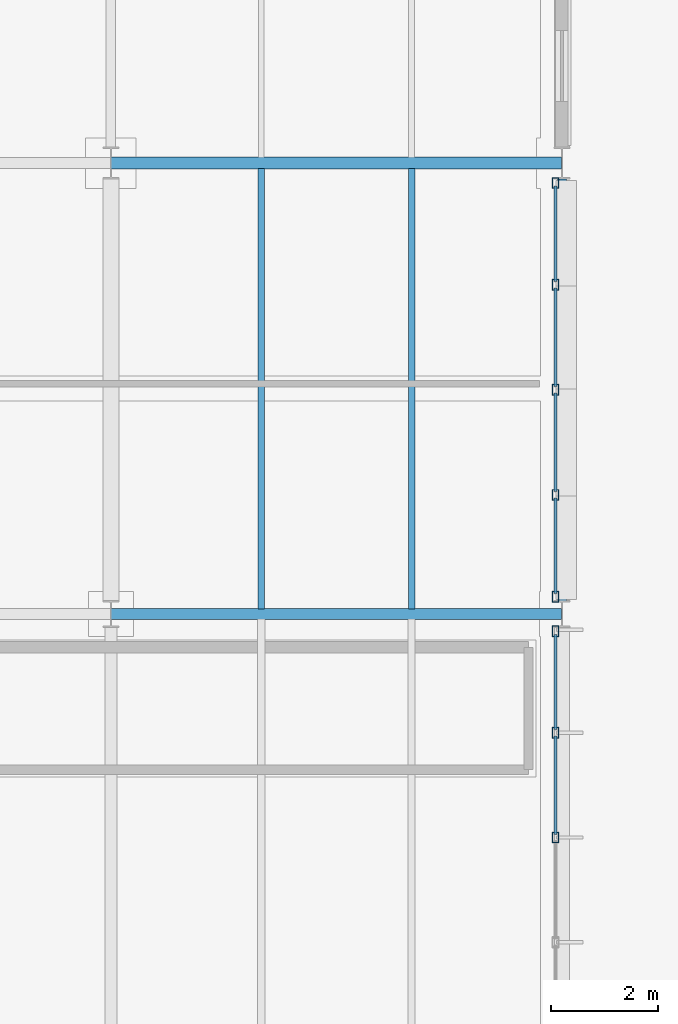
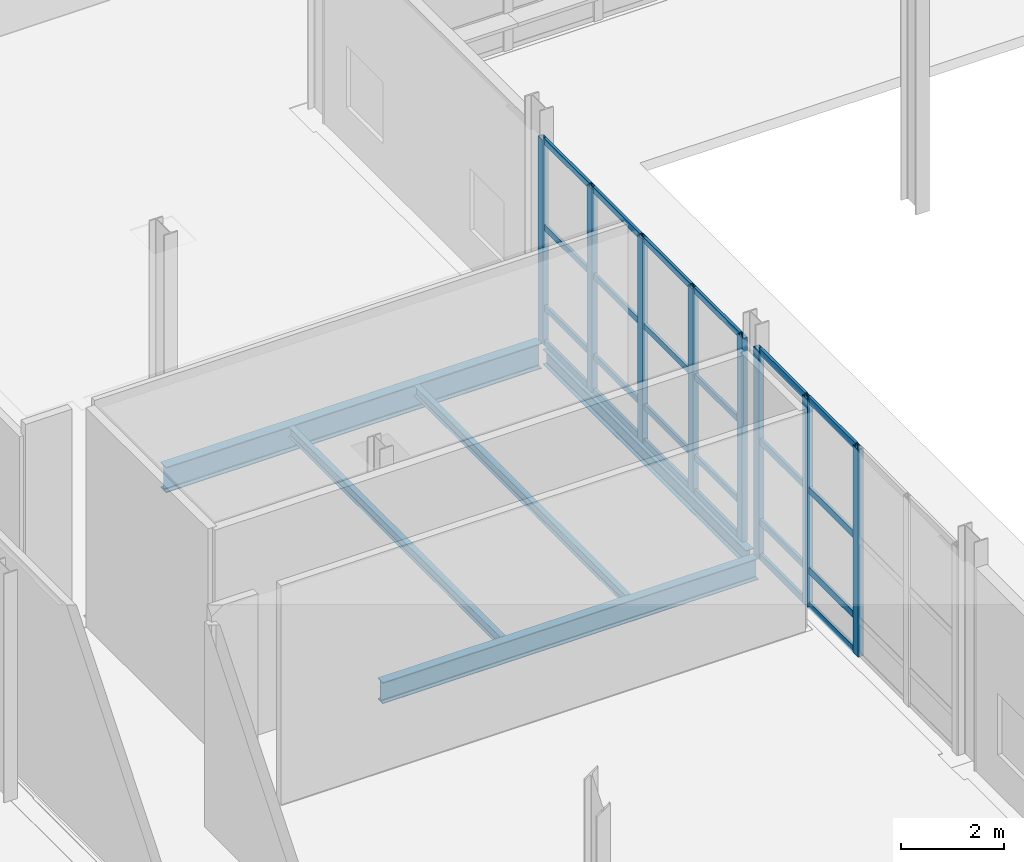
# One storey, part 42 of 124: 32 members, 5 beams, 2 elements without a shape of their own.
"""IFC4 building model written with IfcOpenShell, lengths in metres."""

from ifc_helpers import new_model, si_unit, direction, frame, origin, origin_2d, place, context, subcontext, project, spatial, hollow_rectangle, i_section, extrude, material, material_profile, profile_set, type_object, element, aggregate, save


model = new_model("IFC4")

# Units and contexts
model_context = context("Model", 3, precision=1e-05, world=origin(), true_north=direction((0.0, 1.0)))
body_context = subcontext(model_context, "Body", "Model", "MODEL_VIEW")
ifc_project = project(units=[si_unit("LENGTHUNIT", "METRE"), si_unit("AREAUNIT", "SQUARE_METRE"), si_unit("VOLUMEUNIT", "CUBIC_METRE"), si_unit("PLANEANGLEUNIT", "RADIAN"), si_unit("MASSUNIT", "GRAM", prefix="KILO")], contexts=[model_context])

# Site, building, storey
site_placement = place(None, origin())
site = spatial("IfcSite", under=ifc_project, at=site_placement, CompositionType="ELEMENT")
building_placement = place(site_placement, origin())
building = spatial("IfcBuilding", under=site, at=building_placement, Name="Mersafa Astral City Hall", CompositionType="ELEMENT")
storey_placement = place(building_placement, origin())
storey = spatial("IfcBuildingStorey", under=building, at=storey_placement, Name="L00", CompositionType="ELEMENT", Elevation=0.0)

# Curtain wall, members
ifc_material_1 = material(Name="Anodised bronze aluminium framing", Category="aluminium")
curtain_wall_type_1 = type_object("IfcCurtainWallType", Name="ENV-CW-1", PredefinedType="USERDEFINED", material=ifc_material_1)
curtain_wall_1_placement = place(storey_placement, origin())
curtain_wall_1 = element("IfcCurtainWall", 1, at=curtain_wall_1_placement, inside=storey, type_object=curtain_wall_type_1, Name="L00 Unitised solar curtain wall 12", ObjectType="UNITISED CURTAIN WALL", PredefinedType="USERDEFINED")
ifc_material_profile_1 = material_profile(ifc_material_1, hollow_rectangle(XDim=0.1201171875, YDim=0.199951171875, WallThickness=0.008056640625, at=origin_2d()), Name="RHS 120x200x8")
ifc_profile_set_1 = profile_set([ifc_material_profile_1], Name="Anodised bronze aluminium framing")
member_type_1 = type_object("IfcMemberType", Name="ENV-CW-MUL-2", PredefinedType="MULLION", material=ifc_profile_set_1)
member_1_placement = place(storey_placement, frame((117.47998046875, 96.637451171875, -0.001953125), z_axis=(0.0, 0.0, 1.0), x_axis=(-1.0, 0.0, 0.0)))
member_1 = element("IfcMember", 2, at=member_1_placement, type_object=member_type_1, Name="CW-1 mullion 3", PredefinedType="MULLION", context=body_context, shape_type="SweptSolid", body=[
    extrude(hollow_rectangle(XDim=0.1201171875, YDim=0.199951171875, WallThickness=0.008056640625, at=origin_2d()), origin(), (0.0, 0.0, 1.0), 4.904052734375),
])
member_2_placement = place(storey_placement, frame((117.47998046875, 98.587646484375, -0.001953125), z_axis=(0.0, 0.0, 1.0), x_axis=(-1.0, 0.0, 0.0)))
member_2 = element("IfcMember", 3, at=member_2_placement, type_object=member_type_1, Name="CW-1 mullion 4", PredefinedType="MULLION", context=body_context, shape_type="SweptSolid", body=[
    extrude(hollow_rectangle(XDim=0.1201171875, YDim=0.199951171875, WallThickness=0.008056640625, at=origin_2d()), origin(), (0.0, 0.0, 1.0), 4.904052734375),
])
member_3_placement = place(storey_placement, frame((117.47998046875, 100.47802734375, -0.001953125), z_axis=(0.0, 0.0, 1.0), x_axis=(-1.0, 0.0, 0.0)))
member_3 = element("IfcMember", 4, at=member_3_placement, type_object=member_type_1, Name="CW-1 mullion 5", PredefinedType="MULLION", context=body_context, shape_type="SweptSolid", body=[
    extrude(hollow_rectangle(XDim=0.1201171875, YDim=0.199951171875, WallThickness=0.008056640625, at=origin_2d()), origin(), (0.0, 0.0, 1.0), 4.904052734375),
])

curtain_wall_type_2 = type_object("IfcCurtainWallType", Name="ENV-CW-2", PredefinedType="USERDEFINED", material=ifc_material_1)
curtain_wall_2_placement = place(storey_placement, origin())
curtain_wall_2 = element("IfcCurtainWall", 5, at=curtain_wall_2_placement, inside=storey, type_object=curtain_wall_type_2, Name="L00 Unitised solar curtain wall 13", ObjectType="UNITISED CURTAIN WALL", PredefinedType="USERDEFINED")
member_4_placement = place(storey_placement, frame((117.47998046875, 101.1220703125, -0.001953125), z_axis=(0.0, 0.0, 1.0), x_axis=(-1.0, 0.0, 0.0)))
member_4 = element("IfcMember", 6, at=member_4_placement, type_object=member_type_1, Name="CW-2 mullion 1", PredefinedType="MULLION", context=body_context, shape_type="SweptSolid", body=[
    extrude(hollow_rectangle(XDim=0.1201171875, YDim=0.199951171875, WallThickness=0.008056640625, at=origin_2d()), origin(), (0.0, 0.0, 1.0), 4.81396484375),
])
member_5_placement = place(storey_placement, frame((117.47998046875, 103.0185546875, -0.001953125), z_axis=(0.0, 0.0, 1.0), x_axis=(-1.0, 0.0, 0.0)))
member_5 = element("IfcMember", 7, at=member_5_placement, type_object=member_type_1, Name="CW-2 mullion 2", PredefinedType="MULLION", context=body_context, shape_type="SweptSolid", body=[
    extrude(hollow_rectangle(XDim=0.1201171875, YDim=0.199951171875, WallThickness=0.008056640625, at=origin_2d()), origin(), (0.0, 0.0, 1.0), 4.81396484375),
])
member_6_placement = place(storey_placement, frame((117.47998046875, 104.97509765625, -0.001953125), z_axis=(0.0, 0.0, 1.0), x_axis=(-1.0, 0.0, 0.0)))
member_6 = element("IfcMember", 8, at=member_6_placement, type_object=member_type_1, Name="CW-2 mullion 3", PredefinedType="MULLION", context=body_context, shape_type="SweptSolid", body=[
    extrude(hollow_rectangle(XDim=0.1201171875, YDim=0.199951171875, WallThickness=0.008056640625, at=origin_2d()), origin(), (0.0, 0.0, 1.0), 4.81396484375),
])
member_7_placement = place(storey_placement, frame((117.47998046875, 106.931396484375, -0.001953125), z_axis=(0.0, 0.0, 1.0), x_axis=(-1.0, 0.0, 0.0)))
member_7 = element("IfcMember", 9, at=member_7_placement, type_object=member_type_1, Name="CW-2 mullion 4", PredefinedType="MULLION", context=body_context, shape_type="SweptSolid", body=[
    extrude(hollow_rectangle(XDim=0.1201171875, YDim=0.199951171875, WallThickness=0.008056640625, at=origin_2d()), origin(), (0.0, 0.0, 1.0), 4.81396484375),
])
member_8_placement = place(storey_placement, frame((117.47998046875, 108.827880859375, -0.001953125), z_axis=(0.0, 0.0, 1.0), x_axis=(-1.0, 0.0, 0.0)))
member_8 = element("IfcMember", 10, at=member_8_placement, type_object=member_type_1, Name="CW-2 mullion 5", PredefinedType="MULLION", context=body_context, shape_type="SweptSolid", body=[
    extrude(hollow_rectangle(XDim=0.1201171875, YDim=0.199951171875, WallThickness=0.008056640625, at=origin_2d()), origin(), (0.0, 0.0, 1.0), 4.81396484375),
])
ifc_material_profile_2 = material_profile(ifc_material_1, hollow_rectangle(XDim=0.06005859375, YDim=0.139892578125, WallThickness=0.00390625, at=origin_2d()), Name="RHS 60x140x4")
ifc_profile_set_2 = profile_set([ifc_material_profile_2], Name="Anodised bronze aluminium framing")
member_type_2 = type_object("IfcMemberType", Name="ENV-CW-TRN-1", PredefinedType="USERDEFINED", material=ifc_profile_set_2)
member_9_placement = place(storey_placement, frame((117.47998046875, 101.181884765625, 0.028076171875), z_axis=(0.0, 1.0, 0.0), x_axis=(-1.0, 0.0, 0.0)))
member_9 = element("IfcMember", 11, at=member_9_placement, type_object=member_type_2, Name="CW-2 transom 1.1", ObjectType="TRANSOM", PredefinedType="USERDEFINED", context=body_context, shape_type="SweptSolid", body=[
    extrude(hollow_rectangle(XDim=0.06005859375, YDim=0.139892578125, WallThickness=0.00390625, at=origin_2d()), origin(), (0.0, 0.0, 1.0), 1.776611328125),
])
member_10_placement = place(storey_placement, frame((117.47998046875, 101.181884765625, 0.85009765625), z_axis=(0.0, 1.0, 0.0), x_axis=(-1.0, 0.0, 0.0)))
member_10 = element("IfcMember", 12, at=member_10_placement, type_object=member_type_2, Name="CW-2 transom 1.2", ObjectType="TRANSOM", PredefinedType="USERDEFINED", context=body_context, shape_type="SweptSolid", body=[
    extrude(hollow_rectangle(XDim=0.06005859375, YDim=0.139892578125, WallThickness=0.00390625, at=origin_2d()), origin(), (0.0, 0.0, 1.0), 1.776611328125),
])
member_11_placement = place(storey_placement, frame((117.47998046875, 101.181884765625, 2.75), z_axis=(0.0, 1.0, 0.0), x_axis=(-1.0, 0.0, 0.0)))
member_11 = element("IfcMember", 13, at=member_11_placement, type_object=member_type_2, Name="CW-2 transom 1.3", ObjectType="TRANSOM", PredefinedType="USERDEFINED", context=body_context, shape_type="SweptSolid", body=[
    extrude(hollow_rectangle(XDim=0.06005859375, YDim=0.139892578125, WallThickness=0.00390625, at=origin_2d()), origin(), (0.0, 0.0, 1.0), 1.776611328125),
])
member_12_placement = place(storey_placement, frame((117.47998046875, 101.181884765625, 4.781982421875), z_axis=(0.0, 1.0, 0.0), x_axis=(-1.0, 0.0, 0.0)))
member_12 = element("IfcMember", 14, at=member_12_placement, type_object=member_type_2, Name="CW-2 transom 1.4", ObjectType="TRANSOM", PredefinedType="USERDEFINED", context=body_context, shape_type="SweptSolid", body=[
    extrude(hollow_rectangle(XDim=0.06005859375, YDim=0.139892578125, WallThickness=0.00390625, at=origin_2d()), origin(), (0.0, 0.0, 1.0), 1.776611328125),
])
member_13_placement = place(storey_placement, frame((117.47998046875, 103.07861328125, 0.028076171875), z_axis=(0.0, 1.0, 0.0), x_axis=(-1.0, 0.0, 0.0)))
member_13 = element("IfcMember", 15, at=member_13_placement, type_object=member_type_2, Name="CW-2 transom 2.1", ObjectType="TRANSOM", PredefinedType="USERDEFINED", context=body_context, shape_type="SweptSolid", body=[
    extrude(hollow_rectangle(XDim=0.06005859375, YDim=0.139892578125, WallThickness=0.00390625, at=origin_2d()), origin(), (0.0, 0.0, 1.0), 1.83642578125),
])
member_14_placement = place(storey_placement, frame((117.47998046875, 103.07861328125, 0.85009765625), z_axis=(0.0, 1.0, 0.0), x_axis=(-1.0, 0.0, 0.0)))
member_14 = element("IfcMember", 16, at=member_14_placement, type_object=member_type_2, Name="CW-2 transom 2.2", ObjectType="TRANSOM", PredefinedType="USERDEFINED", context=body_context, shape_type="SweptSolid", body=[
    extrude(hollow_rectangle(XDim=0.06005859375, YDim=0.139892578125, WallThickness=0.00390625, at=origin_2d()), origin(), (0.0, 0.0, 1.0), 1.83642578125),
])
member_15_placement = place(storey_placement, frame((117.47998046875, 103.07861328125, 2.75), z_axis=(0.0, 1.0, 0.0), x_axis=(-1.0, 0.0, 0.0)))
member_15 = element("IfcMember", 17, at=member_15_placement, type_object=member_type_2, Name="CW-2 transom 2.3", ObjectType="TRANSOM", PredefinedType="USERDEFINED", context=body_context, shape_type="SweptSolid", body=[
    extrude(hollow_rectangle(XDim=0.06005859375, YDim=0.139892578125, WallThickness=0.00390625, at=origin_2d()), origin(), (0.0, 0.0, 1.0), 1.83642578125),
])
member_16_placement = place(storey_placement, frame((117.47998046875, 103.07861328125, 4.781982421875), z_axis=(0.0, 1.0, 0.0), x_axis=(-1.0, 0.0, 0.0)))
member_16 = element("IfcMember", 18, at=member_16_placement, type_object=member_type_2, Name="CW-2 transom 2.4", ObjectType="TRANSOM", PredefinedType="USERDEFINED", context=body_context, shape_type="SweptSolid", body=[
    extrude(hollow_rectangle(XDim=0.06005859375, YDim=0.139892578125, WallThickness=0.00390625, at=origin_2d()), origin(), (0.0, 0.0, 1.0), 1.83642578125),
])
member_17_placement = place(storey_placement, frame((117.47998046875, 105.034912109375, 0.028076171875), z_axis=(0.0, 1.0, 0.0), x_axis=(-1.0, 0.0, 0.0)))
member_17 = element("IfcMember", 19, at=member_17_placement, type_object=member_type_2, Name="CW-2 transom 3.1", ObjectType="TRANSOM", PredefinedType="USERDEFINED", context=body_context, shape_type="SweptSolid", body=[
    extrude(hollow_rectangle(XDim=0.06005859375, YDim=0.139892578125, WallThickness=0.00390625, at=origin_2d()), origin(), (0.0, 0.0, 1.0), 1.836669921875),
])
member_18_placement = place(storey_placement, frame((117.47998046875, 105.034912109375, 0.85009765625), z_axis=(0.0, 1.0, 0.0), x_axis=(-1.0, 0.0, 0.0)))
member_18 = element("IfcMember", 20, at=member_18_placement, type_object=member_type_2, Name="CW-2 transom 3.2", ObjectType="TRANSOM", PredefinedType="USERDEFINED", context=body_context, shape_type="SweptSolid", body=[
    extrude(hollow_rectangle(XDim=0.06005859375, YDim=0.139892578125, WallThickness=0.00390625, at=origin_2d()), origin(), (0.0, 0.0, 1.0), 1.836669921875),
])
member_19_placement = place(storey_placement, frame((117.47998046875, 105.034912109375, 2.75), z_axis=(0.0, 1.0, 0.0), x_axis=(-1.0, 0.0, 0.0)))
member_19 = element("IfcMember", 21, at=member_19_placement, type_object=member_type_2, Name="CW-2 transom 3.3", ObjectType="TRANSOM", PredefinedType="USERDEFINED", context=body_context, shape_type="SweptSolid", body=[
    extrude(hollow_rectangle(XDim=0.06005859375, YDim=0.139892578125, WallThickness=0.00390625, at=origin_2d()), origin(), (0.0, 0.0, 1.0), 1.836669921875),
])
member_20_placement = place(storey_placement, frame((117.47998046875, 105.034912109375, 4.781982421875), z_axis=(0.0, 1.0, 0.0), x_axis=(-1.0, 0.0, 0.0)))
member_20 = element("IfcMember", 22, at=member_20_placement, type_object=member_type_2, Name="CW-2 transom 3.4", ObjectType="TRANSOM", PredefinedType="USERDEFINED", context=body_context, shape_type="SweptSolid", body=[
    extrude(hollow_rectangle(XDim=0.06005859375, YDim=0.139892578125, WallThickness=0.00390625, at=origin_2d()), origin(), (0.0, 0.0, 1.0), 1.836669921875),
])
member_21_placement = place(storey_placement, frame((117.47998046875, 106.991455078125, 0.028076171875), z_axis=(0.0, 1.0, 0.0), x_axis=(-1.0, 0.0, 0.0)))
member_21 = element("IfcMember", 23, at=member_21_placement, type_object=member_type_2, Name="CW-2 transom 4.1", ObjectType="TRANSOM", PredefinedType="USERDEFINED", context=body_context, shape_type="SweptSolid", body=[
    extrude(hollow_rectangle(XDim=0.06005859375, YDim=0.139892578125, WallThickness=0.00390625, at=origin_2d()), origin(), (0.0, 0.0, 1.0), 1.776611328125),
])
member_22_placement = place(storey_placement, frame((117.47998046875, 106.991455078125, 0.85009765625), z_axis=(0.0, 1.0, 0.0), x_axis=(-1.0, 0.0, 0.0)))
member_22 = element("IfcMember", 24, at=member_22_placement, type_object=member_type_2, Name="CW-2 transom 4.2", ObjectType="TRANSOM", PredefinedType="USERDEFINED", context=body_context, shape_type="SweptSolid", body=[
    extrude(hollow_rectangle(XDim=0.06005859375, YDim=0.139892578125, WallThickness=0.00390625, at=origin_2d()), origin(), (0.0, 0.0, 1.0), 1.776611328125),
])
member_23_placement = place(storey_placement, frame((117.47998046875, 106.991455078125, 2.75), z_axis=(0.0, 1.0, 0.0), x_axis=(-1.0, 0.0, 0.0)))
member_23 = element("IfcMember", 25, at=member_23_placement, type_object=member_type_2, Name="CW-2 transom 4.3", ObjectType="TRANSOM", PredefinedType="USERDEFINED", context=body_context, shape_type="SweptSolid", body=[
    extrude(hollow_rectangle(XDim=0.06005859375, YDim=0.139892578125, WallThickness=0.00390625, at=origin_2d()), origin(), (0.0, 0.0, 1.0), 1.776611328125),
])
member_24_placement = place(storey_placement, frame((117.47998046875, 106.991455078125, 4.781982421875), z_axis=(0.0, 1.0, 0.0), x_axis=(-1.0, 0.0, 0.0)))
member_24 = element("IfcMember", 26, at=member_24_placement, type_object=member_type_2, Name="CW-2 transom 4.4", ObjectType="TRANSOM", PredefinedType="USERDEFINED", context=body_context, shape_type="SweptSolid", body=[
    extrude(hollow_rectangle(XDim=0.06005859375, YDim=0.139892578125, WallThickness=0.00390625, at=origin_2d()), origin(), (0.0, 0.0, 1.0), 1.776611328125),
])
aggregate(curtain_wall_2, [member_4, member_5, member_6, member_7, member_8, member_9, member_10, member_11, member_12, member_13, member_14, member_15, member_16, member_17, member_18, member_19, member_20, member_21, member_22, member_23, member_24])

# Member
ifc_material_profile_3 = material_profile(ifc_material_1, hollow_rectangle(XDim=0.06005859375, YDim=0.159912109375, WallThickness=0.00390625, at=origin_2d()), Name="RHS 60x160x4")
ifc_profile_set_3 = profile_set([ifc_material_profile_3], Name="Anodised bronze aluminium framing")
member_type_3 = type_object("IfcMemberType", Name="ENV-CW-TRN-2", PredefinedType="USERDEFINED", material=ifc_profile_set_3)
member_25_placement = place(storey_placement, frame((117.47998046875, 96.697509765625, 0.028076171875), z_axis=(0.0, 1.0, 0.0), x_axis=(-1.0, 0.0, 0.0)))
member_25 = element("IfcMember", 27, at=member_25_placement, type_object=member_type_3, Name="CW-1 transom 3.1", ObjectType="TRANSOM", PredefinedType="USERDEFINED", context=body_context, shape_type="SweptSolid", body=[
    extrude(hollow_rectangle(XDim=0.06005859375, YDim=0.159912109375, WallThickness=0.00390625, at=origin_2d()), origin(), (0.0, 0.0, 1.0), 1.830322265625),
])

member_26_placement = place(storey_placement, frame((117.47998046875, 96.697509765625, 0.85009765625), z_axis=(0.0, 1.0, 0.0), x_axis=(-1.0, 0.0, 0.0)))
member_26 = element("IfcMember", 28, at=member_26_placement, type_object=member_type_3, Name="CW-1 transom 3.2", ObjectType="TRANSOM", PredefinedType="USERDEFINED", context=body_context, shape_type="SweptSolid", body=[
    extrude(hollow_rectangle(XDim=0.06005859375, YDim=0.159912109375, WallThickness=0.00390625, at=origin_2d()), origin(), (0.0, 0.0, 1.0), 1.830322265625),
])

member_27_placement = place(storey_placement, frame((117.47998046875, 96.697509765625, 2.75), z_axis=(0.0, 1.0, 0.0), x_axis=(-1.0, 0.0, 0.0)))
member_27 = element("IfcMember", 29, at=member_27_placement, type_object=member_type_3, Name="CW-1 transom 3.3", ObjectType="TRANSOM", PredefinedType="USERDEFINED", context=body_context, shape_type="SweptSolid", body=[
    extrude(hollow_rectangle(XDim=0.06005859375, YDim=0.159912109375, WallThickness=0.00390625, at=origin_2d()), origin(), (0.0, 0.0, 1.0), 1.830322265625),
])

member_28_placement = place(storey_placement, frame((117.47998046875, 96.697509765625, 4.8720703125), z_axis=(0.0, 1.0, 0.0), x_axis=(-1.0, 0.0, 0.0)))
member_28 = element("IfcMember", 30, at=member_28_placement, type_object=member_type_3, Name="CW-1 transom 3.4", ObjectType="TRANSOM", PredefinedType="USERDEFINED", context=body_context, shape_type="SweptSolid", body=[
    extrude(hollow_rectangle(XDim=0.06005859375, YDim=0.159912109375, WallThickness=0.00390625, at=origin_2d()), origin(), (0.0, 0.0, 1.0), 1.830322265625),
])

member_29_placement = place(storey_placement, frame((117.47998046875, 98.647705078125, 0.028076171875), z_axis=(0.0, 1.0, 0.0), x_axis=(-1.0, 0.0, 0.0)))
member_29 = element("IfcMember", 31, at=member_29_placement, type_object=member_type_3, Name="CW-1 transom 4.1", ObjectType="TRANSOM", PredefinedType="USERDEFINED", context=body_context, shape_type="SweptSolid", body=[
    extrude(hollow_rectangle(XDim=0.06005859375, YDim=0.159912109375, WallThickness=0.00390625, at=origin_2d()), origin(), (0.0, 0.0, 1.0), 1.770263671875),
])

member_30_placement = place(storey_placement, frame((117.47998046875, 98.647705078125, 0.85009765625), z_axis=(0.0, 1.0, 0.0), x_axis=(-1.0, 0.0, 0.0)))
member_30 = element("IfcMember", 32, at=member_30_placement, type_object=member_type_3, Name="CW-1 transom 4.2", ObjectType="TRANSOM", PredefinedType="USERDEFINED", context=body_context, shape_type="SweptSolid", body=[
    extrude(hollow_rectangle(XDim=0.06005859375, YDim=0.159912109375, WallThickness=0.00390625, at=origin_2d()), origin(), (0.0, 0.0, 1.0), 1.770263671875),
])

member_31_placement = place(storey_placement, frame((117.47998046875, 98.647705078125, 2.75), z_axis=(0.0, 1.0, 0.0), x_axis=(-1.0, 0.0, 0.0)))
member_31 = element("IfcMember", 33, at=member_31_placement, type_object=member_type_3, Name="CW-1 transom 4.3", ObjectType="TRANSOM", PredefinedType="USERDEFINED", context=body_context, shape_type="SweptSolid", body=[
    extrude(hollow_rectangle(XDim=0.06005859375, YDim=0.159912109375, WallThickness=0.00390625, at=origin_2d()), origin(), (0.0, 0.0, 1.0), 1.770263671875),
])

member_32_placement = place(storey_placement, frame((117.47998046875, 98.647705078125, 4.8720703125), z_axis=(0.0, 1.0, 0.0), x_axis=(-1.0, 0.0, 0.0)))
member_32 = element("IfcMember", 34, at=member_32_placement, type_object=member_type_3, Name="CW-1 transom 4.4", ObjectType="TRANSOM", PredefinedType="USERDEFINED", context=body_context, shape_type="SweptSolid", body=[
    extrude(hollow_rectangle(XDim=0.06005859375, YDim=0.159912109375, WallThickness=0.00390625, at=origin_2d()), origin(), (0.0, 0.0, 1.0), 1.770263671875),
])

aggregate(curtain_wall_1, [member_1, member_2, member_3, member_25, member_26, member_27, member_28, member_29, member_30, member_31, member_32])

# Beams
ifc_material_2 = material(Name="Steel S355", Category="steel")
ifc_material_profile_4 = material_profile(ifc_material_2, i_section(OverallWidth=0.199951171875, OverallDepth=0.5, WebThickness=0.01025390625, FlangeThickness=0.01611328125, FilletRadius=0.02099609375, at=origin_2d()), Name="IPE 500")
ifc_profile_set_4 = profile_set([ifc_material_profile_4], Name="Steel S355")
beam_type_1 = type_object("IfcBeamType", Name="STR-BM-IPE500", PredefinedType="BEAM", material=ifc_profile_set_4)
beam_1_placement = place(storey_placement, frame((109.202880859375, 100.800048828125, -0.5), z_axis=(1.0, 0.0, 0.0), x_axis=(0.0, 1.0, 0.0)))
element("IfcBeam", 35, at=beam_1_placement, inside=storey, type_object=beam_type_1, Name="L00 Primary girder X 13-12", PredefinedType="BEAM", context=body_context, shape_type="SweptSolid", body=[
    extrude(i_section(OverallWidth=0.199951171875, OverallDepth=0.5, WebThickness=0.01025390625, FlangeThickness=0.01611328125, FilletRadius=0.02099609375, at=origin_2d()), origin(), (0.0, 0.0, 1.0), 8.39404296875),
])
ifc_material_profile_5 = material_profile(ifc_material_2, i_section(OverallWidth=0.219970703125, OverallDepth=0.60009765625, WebThickness=0.011962890625, FlangeThickness=0.01904296875, FilletRadius=0.02392578125, at=origin_2d()), Name="IPE 600")
ifc_profile_set_5 = profile_set([ifc_material_profile_5], Name="Steel S355")
beam_type_2 = type_object("IfcBeamType", Name="STR-BM-IPE600", PredefinedType="BEAM", material=ifc_profile_set_5)
beam_2_placement = place(storey_placement, frame((109.202880859375, 109.199951171875, -0.550048828125), z_axis=(1.0, 0.0, 0.0), x_axis=(0.0, 1.0, 0.0)))
element("IfcBeam", 36, at=beam_2_placement, inside=storey, type_object=beam_type_2, Name="L00 Primary girder X 13-13", PredefinedType="BEAM", context=body_context, shape_type="SweptSolid", body=[
    extrude(i_section(OverallWidth=0.219970703125, OverallDepth=0.60009765625, WebThickness=0.011962890625, FlangeThickness=0.01904296875, FilletRadius=0.02392578125, at=origin_2d()), origin(), (0.0, 0.0, 1.0), 8.39404296875),
])
ifc_material_profile_6 = material_profile(ifc_material_2, i_section(OverallWidth=0.1201171875, OverallDepth=0.239990234375, WebThickness=0.006103515625, FlangeThickness=0.009765625, FilletRadius=0.014892578125, at=origin_2d()), Name="IPE 240")
ifc_profile_set_6 = profile_set([ifc_material_profile_6], Name="Steel S355")
beam_type_3 = type_object("IfcBeamType", Name="STR-BM-JOIST-IPE240", PredefinedType="JOIST", material=ifc_profile_set_6)
for number, where, z_axis, x_axis, name in (
    (37, (112.0, 100.89501953125, -0.3701171875), (0.0, 1.0, 0.0), (-1.0, 0.0, 0.0), "L00 Composite secondary floor joist 132"),
    (38, (114.800048828125, 100.89501953125, -0.3701171875), (0.0, 1.0, 0.0), (-1.0, 0.0, 0.0), "L00 Composite secondary floor joist 133"),
):
    element("IfcBeam", number, at=place(storey_placement, frame(where, z_axis=z_axis, x_axis=x_axis)), inside=storey, type_object=beam_type_3, Name=name, PredefinedType="JOIST", context=body_context, shape_type="SweptSolid", body=[
        extrude(i_section(OverallWidth=0.1201171875, OverallDepth=0.239990234375, WebThickness=0.006103515625, FlangeThickness=0.009765625, FilletRadius=0.014892578125, at=origin_2d()), origin(), (0.0, 0.0, 1.0), 8.199951171875),
    ])
ifc_material_profile_7 = material_profile(ifc_material_2, i_section(OverallWidth=0.169921875, OverallDepth=0.360107421875, WebThickness=0.008056640625, FlangeThickness=0.0126953125, FilletRadius=0.01806640625, at=origin_2d()), Name="IPE 360")
ifc_profile_set_7 = profile_set([ifc_material_profile_7], Name="Steel S355")
beam_type_4 = type_object("IfcBeamType", Name="STR-BM-SPANDREL-IPE360", PredefinedType="SPANDREL", material=ifc_profile_set_7)
beam_3_placement = place(storey_placement, frame((117.60009765625, 101.044921875, -0.429931640625), z_axis=(0.0, 1.0, 0.0), x_axis=(-1.0, 0.0, 0.0)))
element("IfcBeam", 39, at=beam_3_placement, inside=storey, type_object=beam_type_4, Name="L00 Primary girder Y 14-12", PredefinedType="SPANDREL", context=body_context, shape_type="SweptSolid", body=[
    extrude(i_section(OverallWidth=0.169921875, OverallDepth=0.360107421875, WebThickness=0.008056640625, FlangeThickness=0.0126953125, FilletRadius=0.01806640625, at=origin_2d()), origin(), (0.0, 0.0, 1.0), 7.860107421875),
])

save(model, "model.ifc")
